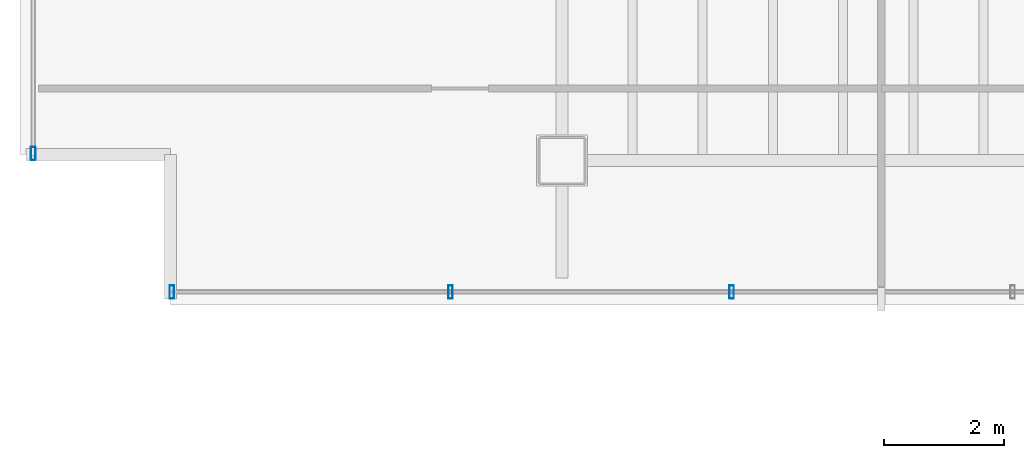
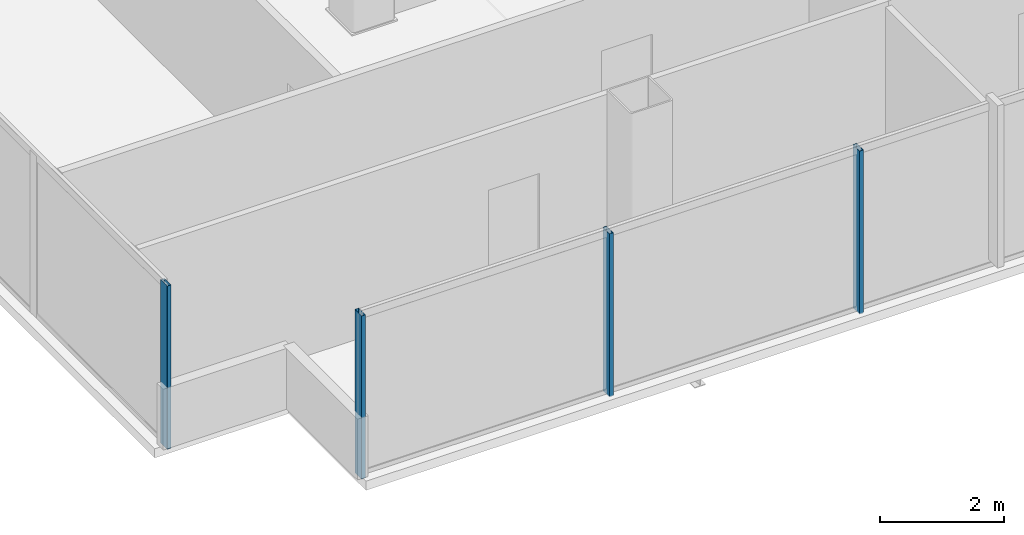
# One storey, part 2 of 17: 4 members, 2 elements without a shape of their own.
"""IFC4 building model written with IfcOpenShell, lengths in metres."""

from ifc_helpers import new_model, si_unit, direction, frame, origin, origin_2d, place, context, subcontext, project, spatial, hollow_rectangle, extrude, material, material_profile, profile_set, type_object, element, aggregate, save


model = new_model("IFC4")

# Units and contexts
model_context = context("Model", 3, precision=1e-05, world=origin(), true_north=direction((0.0, 1.0)))
body_context = subcontext(model_context, "Body", "Model", "MODEL_VIEW")
ifc_project = project(units=[si_unit("LENGTHUNIT", "METRE"), si_unit("AREAUNIT", "SQUARE_METRE"), si_unit("VOLUMEUNIT", "CUBIC_METRE"), si_unit("PLANEANGLEUNIT", "RADIAN"), si_unit("MASSUNIT", "GRAM", prefix="KILO")], contexts=[model_context])

# Site, building, storey
site_placement = place(None, origin())
site = spatial("IfcSite", under=ifc_project, at=site_placement, CompositionType="ELEMENT")
building_placement = place(site_placement, origin())
building = spatial("IfcBuilding", under=site, at=building_placement, Name="Noeulbin Bourse Tower", CompositionType="ELEMENT")
storey_placement = place(building_placement, frame((0.0, 0.0, 261.800048828125)))
storey = spatial("IfcBuildingStorey", under=building, at=storey_placement, Name="L65", CompositionType="ELEMENT", Elevation=261.800048828125)

# Curtain wall, members
ifc_material_1 = material(Name="High-Selectivity Low-Iron Glazing", Category="glass")
curtain_wall_type = type_object("IfcCurtainWallType", Name="CW-SYS-4", PredefinedType="NOTDEFINED", material=ifc_material_1)
curtain_wall_1_placement = place(storey_placement, origin())
curtain_wall_1 = element("IfcCurtainWall", 1, at=curtain_wall_1_placement, inside=storey, type_object=curtain_wall_type, Name="Unitised Curtain Wall CW-L65-S1", PredefinedType="NOTDEFINED")
ifc_material_2 = material(Name="Anodised Aluminium 6063-T6", Category="aluminium")
ifc_material_profile = material_profile(ifc_material_2, hollow_rectangle(XDim=0.074951171875, YDim=0.219970703125, WallThickness=0.0048828125, InnerFilletRadius=0.00244140625, OuterFilletRadius=0.0048828125, at=origin_2d()), Name="ALU-MULL-75x220x5", Category="LoadBearing")
ifc_profile_set = profile_set([ifc_material_profile], Name="Anodised Aluminium 6063-T6")
member_type = type_object("IfcMemberType", Name="CW-SYS-4-MUL", PredefinedType="MULLION", material=ifc_profile_set)
member_1_placement = place(storey_placement, frame((7.02001953125, 17.820068359375, -0.02001953125), z_axis=(0.0, 0.0, 1.0), x_axis=(1.0, 0.0, 0.0)))
member_1 = element("IfcMember", 2, at=member_1_placement, type_object=member_type, Name="Curtain Wall Mullion CW-L65-S1-M00", PredefinedType="MULLION", context=body_context, shape_type="SweptSolid", body=[
    extrude(hollow_rectangle(XDim=0.074951171875, YDim=0.219970703125, WallThickness=0.0048828125, InnerFilletRadius=0.00244140625, OuterFilletRadius=0.0048828125, at=origin_2d()), origin(), (0.0, 0.0, 1.0), 3.219970703125),
])
member_2_placement = place(storey_placement, frame((11.6474609375, 17.820068359375, -0.02001953125), z_axis=(0.0, 0.0, 1.0), x_axis=(1.0, 0.0, 0.0)))
member_2 = element("IfcMember", 3, at=member_2_placement, type_object=member_type, Name="Curtain Wall Mullion CW-L65-S1-M01", PredefinedType="MULLION", context=body_context, shape_type="SweptSolid", body=[
    extrude(hollow_rectangle(XDim=0.074951171875, YDim=0.219970703125, WallThickness=0.0048828125, InnerFilletRadius=0.00244140625, OuterFilletRadius=0.0048828125, at=origin_2d()), origin(), (0.0, 0.0, 1.0), 3.219970703125),
])
member_3_placement = place(storey_placement, frame((16.31494140625, 17.820068359375, -0.02001953125), z_axis=(0.0, 0.0, 1.0), x_axis=(1.0, 0.0, 0.0)))
member_3 = element("IfcMember", 4, at=member_3_placement, type_object=member_type, Name="Curtain Wall Mullion CW-L65-S1-M02", PredefinedType="MULLION", context=body_context, shape_type="SweptSolid", body=[
    extrude(hollow_rectangle(XDim=0.074951171875, YDim=0.219970703125, WallThickness=0.0048828125, InnerFilletRadius=0.00244140625, OuterFilletRadius=0.0048828125, at=origin_2d()), origin(), (0.0, 0.0, 1.0), 3.219970703125),
])
aggregate(curtain_wall_1, [member_1, member_2, member_3])

# Curtain wall, member
curtain_wall_2_placement = place(storey_placement, origin())
curtain_wall_2 = element("IfcCurtainWall", 5, at=curtain_wall_2_placement, inside=storey, type_object=curtain_wall_type, Name="Unitised Curtain Wall CW-L65-W-S1", PredefinedType="NOTDEFINED")
member_4_placement = place(storey_placement, frame((4.719970703125, 20.1201171875, -0.02001953125), z_axis=(0.0, 0.0, 1.0), x_axis=(1.0, 0.0, 0.0)))
member_4 = element("IfcMember", 6, at=member_4_placement, type_object=member_type, Name="Curtain Wall Mullion CW-L65-W-S1-M00", PredefinedType="MULLION", context=body_context, shape_type="SweptSolid", body=[
    extrude(hollow_rectangle(XDim=0.074951171875, YDim=0.219970703125, WallThickness=0.0048828125, InnerFilletRadius=0.00244140625, OuterFilletRadius=0.0048828125, at=origin_2d()), origin(), (0.0, 0.0, 1.0), 3.219970703125),
])
aggregate(curtain_wall_2, [member_4])

save(model, "model.ifc")
